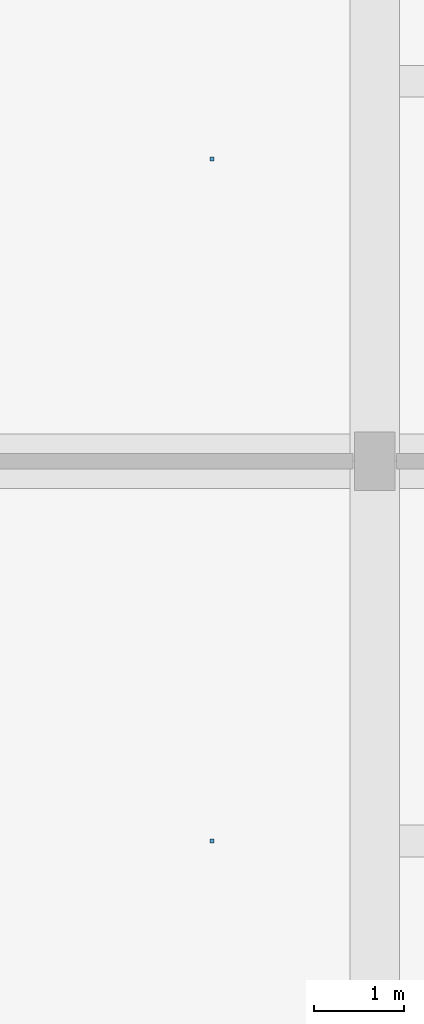
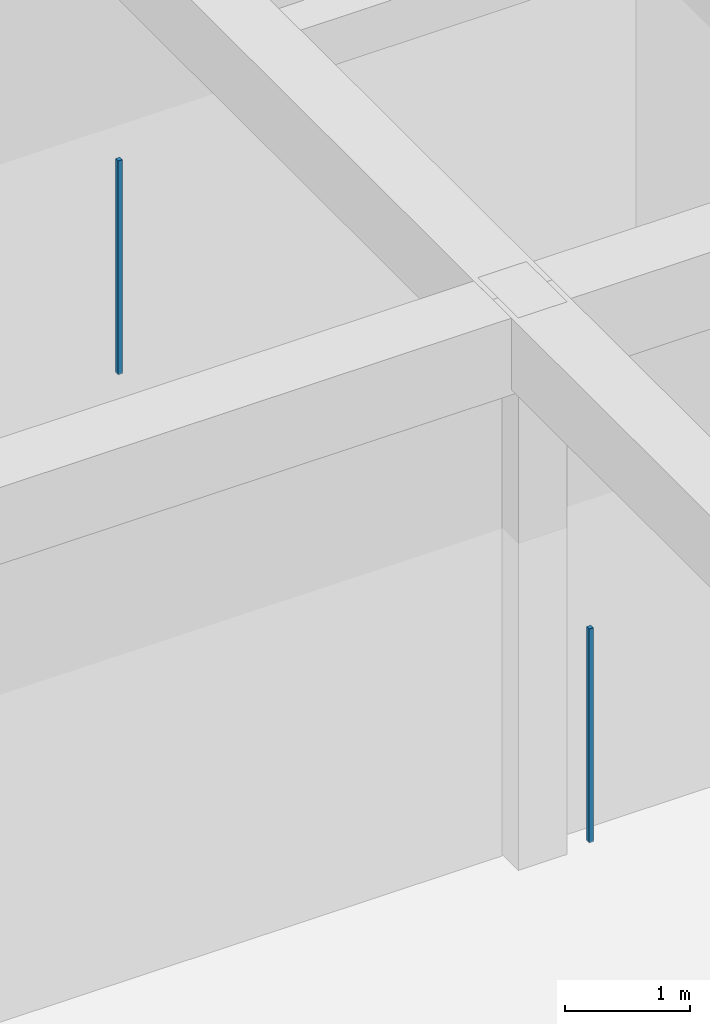
# One storey, part 95 of 167: 2 discrete accessories.
"""IFC4 building model written with IfcOpenShell, lengths in metres."""

import ifcopenshell
import ifcopenshell.guid

model = None  # the IFC model being written
_history = None  # IfcOwnerHistory: only IFC2X3 demands one
_inside = {}  # id of a spatial element -> (the spatial element, [elements in it])
_under = {}  # id of a project, library or spatial element -> (it, [spatial elements below it])
_declared = {}  # id of a project -> (the project, [libraries it declares])
_typed = {}  # id of a type object -> (the type object, [elements of that type])
_made_of = {}  # id of a material, layer set ... -> (it, [elements and type objects made of it])


def new_model(schema):
    """Start an empty IFC model of exactly this schema.

    Asked for "IFC4X3", IfcOpenShell would pick the latest addendum, in which some entities
    have other attributes; the version numbers below select the first issue.
    IFC2X3 requires an IfcOwnerHistory on every rooted entity: one is made here for all.
    """
    global model, _history
    if schema == "IFC4X3":
        model = ifcopenshell.file(schema_version=(4, 3, 0, 0))
    else:
        model = ifcopenshell.file(schema=schema)
    _inside.clear()
    _under.clear()
    _declared.clear()
    _typed.clear()
    _made_of.clear()
    _history = None
    if model.schema == "IFC2X3":
        org = make("IfcOrganization", Name="unknown")
        user = make(
            "IfcPersonAndOrganization",
            ThePerson=make("IfcPerson", FamilyName="unknown"),
            TheOrganization=org,
        )
        app = make(
            "IfcApplication",
            ApplicationDeveloper=org,
            Version="unknown",
            ApplicationFullName="unknown",
            ApplicationIdentifier="unknown",
        )
        _history = make(
            "IfcOwnerHistory",
            OwningUser=user,
            OwningApplication=app,
            ChangeAction="ADDED",
            CreationDate=0,
        )
    return model


def make(cls, **values):
    """One entity of the class cls with the attributes given. An attribute that is None is left unset."""
    return model.create_entity(
        cls, **{name: value for name, value in values.items() if value is not None}
    )


def rooted(cls, **values):
    """An entity with a GlobalId (a new one), such as an element, a storey or a relation."""
    return make(cls, GlobalId=ifcopenshell.guid.new(), OwnerHistory=_history, **values)


def si_unit(unit_type, name, prefix=None):
    """IfcSIUnit, for example si_unit("LENGTHUNIT", "METRE", prefix="MILLI")."""
    return make("IfcSIUnit", UnitType=unit_type, Prefix=prefix, Name=name)


def assignment(units):
    """IfcUnitAssignment: the units of a project."""
    return None if units is None else make("IfcUnitAssignment", Units=units)


def point(xyz):
    """IfcCartesianPoint."""
    return None if xyz is None else make("IfcCartesianPoint", Coordinates=xyz)


def direction(xyz):
    """IfcDirection."""
    return None if xyz is None else make("IfcDirection", DirectionRatios=xyz)


def frame(location, z_axis=None, x_axis=None):
    """IfcAxis2Placement3D, a coordinate frame: its origin and axes. An axis left out is left unset."""
    return make(
        "IfcAxis2Placement3D",
        Location=point(location),
        Axis=direction(z_axis),
        RefDirection=direction(x_axis),
    )


def frame_2d(location, x_axis=None):
    """IfcAxis2Placement2D, a coordinate frame in the plane: its origin and x axis."""
    return make(
        "IfcAxis2Placement2D", Location=point(location), RefDirection=direction(x_axis)
    )


def origin():
    """The frame at (0, 0, 0) with its axes left unset."""
    return frame((0.0, 0.0, 0.0))


def origin_2d():
    """The frame at (0, 0) in the plane with its x axis left unset."""
    return frame_2d((0.0, 0.0))


def place(relative_to, where):
    """IfcLocalPlacement: puts the frame where relative to a parent placement (None: the world)."""
    return make(
        "IfcLocalPlacement", PlacementRelTo=relative_to, RelativePlacement=where
    )


def context(
    kind, dimensions, precision=None, world=None, true_north=None, identifier=None
):
    """IfcGeometricRepresentationContext, for example the 3D "Model" context."""
    return make(
        "IfcGeometricRepresentationContext",
        ContextIdentifier=identifier,
        ContextType=kind,
        CoordinateSpaceDimension=dimensions,
        Precision=precision,
        WorldCoordinateSystem=world,
        TrueNorth=true_north,
    )


def subcontext(parent, identifier, kind, view, scale=None):
    """IfcGeometricRepresentationSubContext, for example "Body" below "Model"."""
    return make(
        "IfcGeometricRepresentationSubContext",
        ContextIdentifier=identifier,
        ContextType=kind,
        ParentContext=parent,
        TargetScale=scale,
        TargetView=view,
    )


def project(units=None, contexts=None):
    """IfcProject with its units and contexts."""
    return rooted(
        "IfcProject",
        Name="project",
        RepresentationContexts=contexts,
        UnitsInContext=assignment(units),
    )


def spatial(cls, under=None, at=None, **own):
    """A site, building, storey or space (cls), placed at a placement, below another one or the project."""
    s = rooted(cls, ObjectPlacement=at, **own)
    if under is not None:
        _under.setdefault(under.id(), (under, []))[1].append(s)
    return s


def profile(cls, at=None, kind="AREA", **sizes):
    """A parametric profile (cls). Its sizes go by their IFC names, for example OverallWidth=200.0."""
    return make(cls, ProfileType=kind, Position=at, **sizes)


def rectangle(**sizes):
    """IfcRectangleProfileDef."""
    return profile("IfcRectangleProfileDef", **sizes)


def extrude(swept, where, along, depth):
    """IfcExtrudedAreaSolid: the profile swept, set in the frame where, extruded along a direction by depth."""
    return make(
        "IfcExtrudedAreaSolid",
        SweptArea=swept,
        Position=where,
        ExtrudedDirection=direction(along),
        Depth=depth,
    )


def shape(context_of_items, identifier, shape_type, items):
    """IfcShapeRepresentation: the items that make up one representation, for example the "Body"."""
    return make(
        "IfcShapeRepresentation",
        ContextOfItems=context_of_items,
        RepresentationIdentifier=identifier,
        RepresentationType=shape_type,
        Items=items,
    )


def material(Name=None, Category=None):
    """IfcMaterial."""
    return make("IfcMaterial", Name=Name, Category=Category)


def made_of(thing, what):
    """Note that an element or type object is made of a material, layer set ...; save() writes the relation."""
    if what is not None:
        _made_of.setdefault(what.id(), (what, []))[1].append(thing)
    return thing


def type_object(cls, material=None, **own):
    """A type object (cls), such as IfcWallType, which elements share."""
    return made_of(rooted(cls, **own), material)


def element(
    cls,
    number,
    at=None,
    inside=None,
    cuts=None,
    type_object=None,
    material=None,
    context=None,
    identifier="Body",
    shape_type=None,
    held_by="IfcProductDefinitionShape",
    body=None,
    shapes=None,
    **own,
):
    """One element of the class cls, such as IfcWall. Its Tag is "e" and its number.

    at: its placement. inside: the storey or other place that contains it. cuts: it is an
    opening in that element (IfcRelVoidsElement). A single representation is given by context,
    identifier, shape_type and body (its items); several are given by shapes. held_by: the class
    of the entity that holds the representations. save() writes the other relations.
    """
    e = rooted(cls, Tag="e%d" % number, ObjectPlacement=at, **own)
    if body is not None:
        shapes = [shape(context, identifier, shape_type, body)]
    if shapes is not None:
        e.Representation = make(held_by, Representations=shapes)
    if inside is not None:
        _inside.setdefault(inside.id(), (inside, []))[1].append(e)
    if cuts is not None:
        rooted(
            "IfcRelVoidsElement", RelatingBuildingElement=cuts, RelatedOpeningElement=e
        )
    if type_object is not None:
        _typed.setdefault(type_object.id(), (type_object, []))[1].append(e)
    return made_of(e, material)


def aggregate(whole, parts):
    """IfcRelAggregates: a whole, such as a stair, and the parts it consists of."""
    return rooted("IfcRelAggregates", RelatingObject=whole, RelatedObjects=parts)


def save(model, path):
    """Write the relations noted so far, then the file.

    IfcRelAggregates (storeys below a building ...), IfcRelContainedInSpatialStructure (elements
    in a storey), IfcRelDefinesByType, IfcRelAssociatesMaterial and IfcRelDeclares: one each for
    every whole, place, type object, material and project.
    """
    for whole, parts in _under.values():
        aggregate(whole, parts)
    for where, things in _inside.values():
        rooted(
            "IfcRelContainedInSpatialStructure",
            RelatedElements=things,
            RelatingStructure=where,
        )
    for kind, things in _typed.values():
        rooted("IfcRelDefinesByType", RelatedObjects=things, RelatingType=kind)
    for what, things in _made_of.values():
        rooted("IfcRelAssociatesMaterial", RelatedObjects=things, RelatingMaterial=what)
    for by, libraries in _declared.values():
        rooted("IfcRelDeclares", RelatingContext=by, RelatedDefinitions=libraries)
    model.write(path)


model = new_model("IFC4")

# Units and contexts
model_context = context("Model", 3, precision=1e-05, world=origin(), true_north=direction((0.0, 1.0)))
body_context = subcontext(model_context, "Body", "Model", "MODEL_VIEW")
ifc_project = project(units=[si_unit("LENGTHUNIT", "METRE"), si_unit("AREAUNIT", "SQUARE_METRE"), si_unit("VOLUMEUNIT", "CUBIC_METRE"), si_unit("PLANEANGLEUNIT", "RADIAN"), si_unit("MASSUNIT", "GRAM", prefix="KILO")], contexts=[model_context])

# Site, building, storey
site_placement = place(None, origin())
site = spatial("IfcSite", under=ifc_project, at=site_placement, CompositionType="ELEMENT")
building_placement = place(site_placement, origin())
building = spatial("IfcBuilding", under=site, at=building_placement, Name="Varncliffe General Hospital", CompositionType="ELEMENT")
storey_placement = place(building_placement, origin())
storey = spatial("IfcBuildingStorey", under=building, at=storey_placement, Name="L00", CompositionType="ELEMENT", Elevation=0.0)

# Discrete accessories
ifc_material = material(Name="Powder-coated hospital steel guardrail and handrail", Category="steel")
discrete_accessory_type = type_object("IfcDiscreteAccessoryType", Name="Suspended Ceiling Hanger Bracket CH01", PredefinedType="BRACKET", material=ifc_material)
for number, where, z_axis, x_axis, name in (
    (1, (6.60009765625, 78.60009765625, 3.18994140625), (0.0, 0.0, 1.0), (1.0, 0.0, 0.0), "L00 Suspended Ceiling Hanger 29"),
    (2, (6.60009765625, 86.142578125, 3.18994140625), (0.0, 0.0, 1.0), (1.0, 0.0, 0.0), "L00 Suspended Ceiling Hanger 101"),
):
    element("IfcDiscreteAccessory", number, at=place(storey_placement, frame(where, z_axis=z_axis, x_axis=x_axis)), inside=storey, type_object=discrete_accessory_type, Name=name, PredefinedType="BRACKET", context=body_context, shape_type="SweptSolid", body=[
        extrude(rectangle(XDim=0.0400390625, YDim=0.0400390625, at=origin_2d()), origin(), (0.0, 0.0, 1.0), 2.090087890625),
    ])

save(model, "model.ifc")
